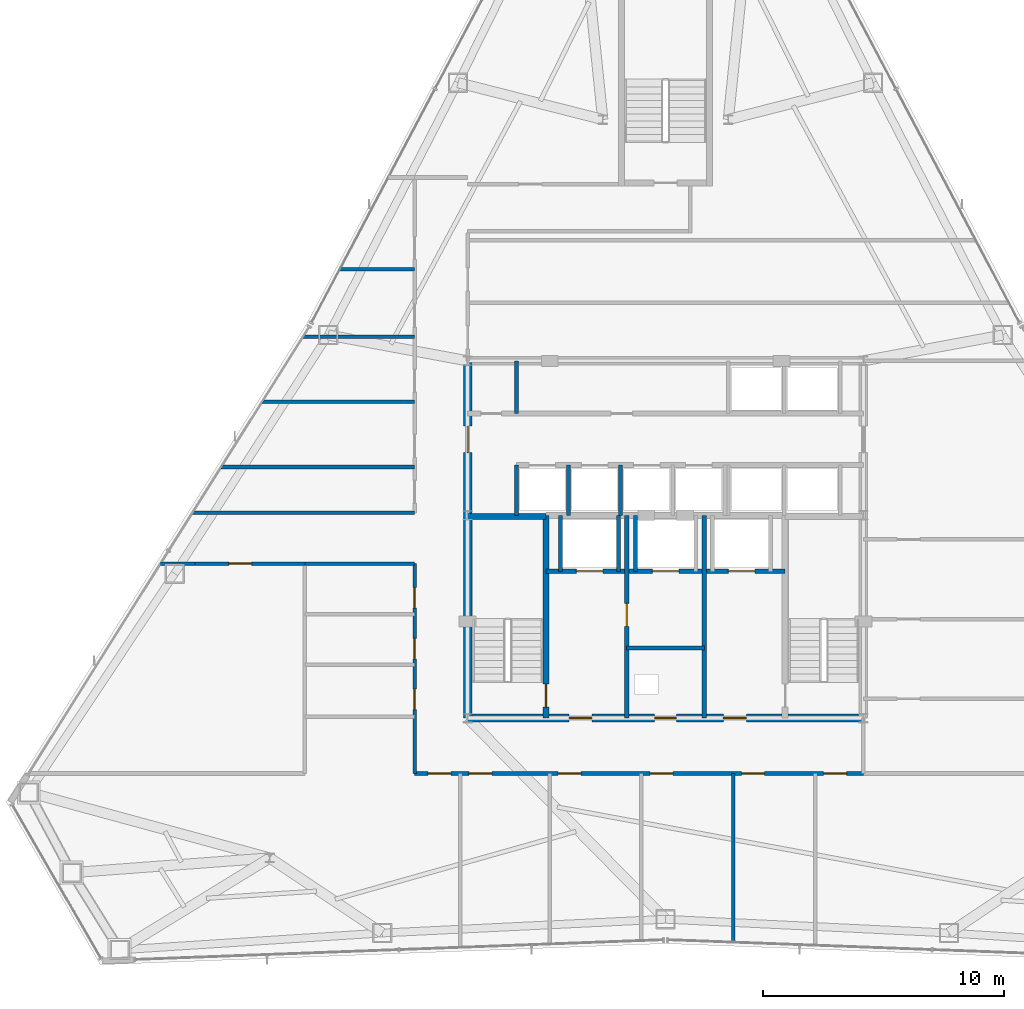
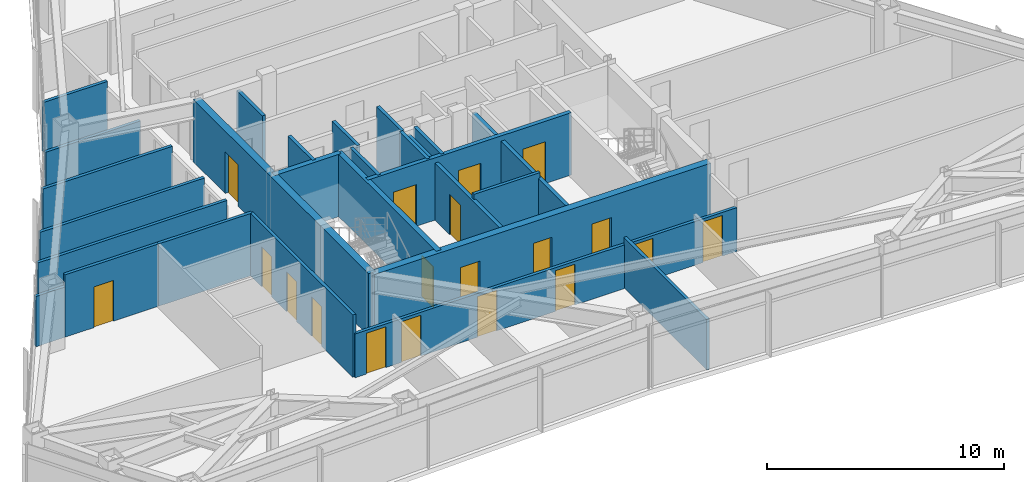
# One storey, part 10 of 13: 26 walls, 19 doors, 19 openings.
"""IFC4 building model written with IfcOpenShell, lengths in metres."""

from ifc_helpers import new_model, si_unit, direction, frame, frame_2d, origin, place, context, subcontext, project, spatial, rectangle, extrude, material, layer, layer_set, type_object, element, fill, save


model = new_model("IFC4")

# Units and contexts
model_context = context("Model", 3, precision=1e-05, world=origin(), true_north=direction((0.0, 1.0)))
body_context = subcontext(model_context, "Body", "Model", "MODEL_VIEW")
ifc_project = project(units=[si_unit("LENGTHUNIT", "METRE"), si_unit("AREAUNIT", "SQUARE_METRE"), si_unit("VOLUMEUNIT", "CUBIC_METRE"), si_unit("PLANEANGLEUNIT", "RADIAN"), si_unit("MASSUNIT", "GRAM", prefix="KILO")], contexts=[model_context])

# Site, building, storey
site_placement = place(None, origin())
site = spatial("IfcSite", under=ifc_project, at=site_placement, CompositionType="ELEMENT")
building_placement = place(site_placement, origin())
building = spatial("IfcBuilding", under=site, at=building_placement, Name="Varakhsha Concourse Tower", CompositionType="ELEMENT")
storey_placement = place(building_placement, frame((0.0, 0.0, 175.800048828125)))
storey = spatial("IfcBuildingStorey", under=building, at=storey_placement, Name="L50", CompositionType="ELEMENT", Elevation=175.800048828125)

# Wall, openings, doors
ifc_material_1 = material(Name="Concrete fc 65 MPa", Category="concrete")
ifc_layer_1 = layer(ifc_material_1, 0.35009765625, Name="WL-CORE-350")
ifc_layer_set_1 = layer_set([ifc_layer_1], Name="Concrete fc 65 MPa")
wall_type_1 = type_object("IfcWallType", Name="WL-CORE-350", PredefinedType="SHEAR", material=ifc_layer_set_1)
wall_1_placement = place(storey_placement, frame((31.800048828125, 16.39990234375, 0.0), z_axis=(0.0, 0.0, 1.0), x_axis=(1.0, 0.0, 0.0)))
wall_1 = element("IfcWall", 1, at=wall_1_placement, inside=storey, type_object=wall_type_1, Name="L50 Wall CWALL-S-L50", PredefinedType="SHEAR", context=body_context, shape_type="SweptSolid", body=[
    extrude(rectangle(XDim=16.39990234375, YDim=0.35009765625, at=frame_2d((8.199951171875, 0.0))), origin(), (0.0, 0.0, 1.0), 3.2099609375),
])
opening_1_placement = place(wall_1_placement, frame((7.75, 0.0, 0.0)))
opening_1 = element("IfcOpeningElement", 2, at=opening_1_placement, cuts=wall_1, Name="Opening DF-06", PredefinedType="OPENING", context=body_context, shape_type="SweptSolid", body=[
    extrude(rectangle(XDim=0.89990234375, YDim=2.10009765625, at=frame_2d((0.449951171875, 1.050048828125))), frame((0.0, 0.18505859375, 0.0), z_axis=(0.0, -1.0, 0.0), x_axis=(1.0, 0.0, 0.0)), (0.0, 0.0, 1.0), 0.3701171875),
])
opening_2_placement = place(wall_1_placement, frame((4.199951171875, 0.0, 0.0)))
opening_2 = element("IfcOpeningElement", 3, at=opening_2_placement, cuts=wall_1, Name="Opening DF-05", PredefinedType="OPENING", context=body_context, shape_type="SweptSolid", body=[
    extrude(rectangle(XDim=0.949951171875, YDim=2.10009765625, at=frame_2d((0.47509765625, 1.050048828125))), frame((0.0, 0.18505859375, 0.0), z_axis=(0.0, -1.0, 0.0), x_axis=(1.0, 0.0, 0.0)), (0.0, 0.0, 1.0), 0.3701171875),
])
opening_3_placement = place(wall_1_placement, frame((10.60009765625, 0.0, 0.0)))
opening_3 = element("IfcOpeningElement", 4, at=opening_3_placement, cuts=wall_1, Name="Opening DF-05", PredefinedType="OPENING", context=body_context, shape_type="SweptSolid", body=[
    extrude(rectangle(XDim=0.949951171875, YDim=2.10009765625, at=frame_2d((0.47509765625, 1.050048828125))), frame((0.0, 0.18505859375, 0.0), z_axis=(0.0, -1.0, 0.0), x_axis=(1.0, 0.0, 0.0)), (0.0, 0.0, 1.0), 0.3701171875),
])
ifc_material_2 = material(Name="Hollow Galvanised Steel Fire Door Assembly", Category="steel")
door_type_1 = type_object("IfcDoorType", Name="DR-FD60-900", OperationType="NOTDEFINED", PredefinedType="DOOR", material=ifc_material_2)
door_1_placement = place(opening_1_placement, origin())
door_1 = element("IfcDoor", 5, at=door_1_placement, inside=storey, type_object=door_type_1, Name="L50 Electrical Riser Access Door", OperationType="SINGLE_SWING_LEFT", OverallHeight=2.10009765625, OverallWidth=0.89990234375, PredefinedType="DOOR", context=body_context, shape_type="SweptSolid", body=[
    extrude(rectangle(XDim=0.89990234375, YDim=2.10009765625, at=frame_2d((0.449951171875, 1.050048828125))), frame((0.0, 0.02490234375, 0.0), z_axis=(0.0, -1.0, 0.0), x_axis=(1.0, 0.0, 0.0)), (0.0, 0.0, 1.0), 0.050048828125),
])
fill(opening_1, door_1)
door_type_2 = type_object("IfcDoorType", Name="DR-FD60-950", OperationType="NOTDEFINED", PredefinedType="DOOR", material=ifc_material_2)
door_2_placement = place(opening_2_placement, origin())
door_2 = element("IfcDoor", 6, at=door_2_placement, inside=storey, type_object=door_type_2, Name="L50 Firefighting Lobby West Door", OperationType="SINGLE_SWING_RIGHT", OverallHeight=2.10009765625, OverallWidth=0.949951171875, PredefinedType="DOOR", context=body_context, shape_type="SweptSolid", body=[
    extrude(rectangle(XDim=0.949951171875, YDim=2.10009765625, at=frame_2d((0.47509765625, 1.050048828125))), frame((0.0, 0.02490234375, 0.0), z_axis=(0.0, -1.0, 0.0), x_axis=(1.0, 0.0, 0.0)), (0.0, 0.0, 1.0), 0.050048828125),
])
fill(opening_2, door_2)
door_3_placement = place(opening_3_placement, origin())
door_3 = element("IfcDoor", 7, at=door_3_placement, inside=storey, type_object=door_type_2, Name="L50 Firefighting Lobby East Door", OperationType="SINGLE_SWING_LEFT", OverallHeight=2.10009765625, OverallWidth=0.949951171875, PredefinedType="DOOR", context=body_context, shape_type="SweptSolid", body=[
    extrude(rectangle(XDim=0.949951171875, YDim=2.10009765625, at=frame_2d((0.47509765625, 1.050048828125))), frame((0.0, 0.02490234375, 0.0), z_axis=(0.0, -1.0, 0.0), x_axis=(1.0, 0.0, 0.0)), (0.0, 0.0, 1.0), 0.050048828125),
])
fill(opening_3, door_3)

# Wall, opening, door
wall_2_placement = place(storey_placement, frame((31.800048828125, 16.39990234375, 0.0), z_axis=(0.0, 0.0, 1.0), x_axis=(0.0, 1.0, 0.0)))
wall_2 = element("IfcWall", 8, at=wall_2_placement, inside=storey, type_object=wall_type_1, Name="L50 Wall CWALL-W-L50", PredefinedType="SHEAR", context=body_context, shape_type="SweptSolid", body=[
    extrude(rectangle(XDim=14.800048828125, YDim=0.35009765625, at=frame_2d((7.39990234375, 0.0))), origin(), (0.0, 0.0, 1.0), 3.2099609375),
])
opening_4_placement = place(wall_2_placement, frame((11.0, 0.0, 0.0)))
opening_4 = element("IfcOpeningElement", 9, at=opening_4_placement, cuts=wall_2, Name="Opening DL-01", PredefinedType="OPENING", context=body_context, shape_type="SweptSolid", body=[
    extrude(rectangle(XDim=1.10009765625, YDim=2.14990234375, at=frame_2d((0.550048828125, 1.074951171875))), frame((0.0, 0.18505859375, 0.0), z_axis=(0.0, -1.0, 0.0), x_axis=(1.0, 0.0, 0.0)), (0.0, 0.0, 1.0), 0.3701171875),
])
ifc_material_3 = material(Name="Anodised Bronze Architectural Aluminium AA 6063-T6", Category="aluminium")
door_type_3 = type_object("IfcDoorType", Name="DR-LOB-1100", OperationType="NOTDEFINED", PredefinedType="DOOR", material=ifc_material_3)
door_4_placement = place(opening_4_placement, origin())
door_4 = element("IfcDoor", 10, at=door_4_placement, inside=storey, type_object=door_type_3, Name="L50 Lift Lobby West Concourse Door", OperationType="SINGLE_SWING_LEFT", OverallHeight=2.14990234375, OverallWidth=1.10009765625, PredefinedType="DOOR", context=body_context, shape_type="SweptSolid", body=[
    extrude(rectangle(XDim=1.10009765625, YDim=2.14990234375, at=frame_2d((0.550048828125, 1.074951171875))), frame((0.0, 0.02490234375, 0.0), z_axis=(0.0, -1.0, 0.0), x_axis=(1.0, 0.0, 0.0)), (0.0, 0.0, 1.0), 0.050048828125),
])
fill(opening_4, door_4)

ifc_material_4 = material(Name="Fire-Rated Type X Gypsum Partition Assembly", Category="gypsum")
ifc_layer_2 = layer(ifc_material_4, 0.179931640625, Name="WL-FFLOB-180")
ifc_layer_set_2 = layer_set([ifc_layer_2], Name="Fire-Rated Type X Gypsum Partition Assembly")
wall_type_2 = type_object("IfcWallType", Name="WL-FFLOB-180", PredefinedType="PARTITIONING", material=ifc_layer_set_2)
wall_3_placement = place(storey_placement, frame((38.389892578125, 16.39990234375, 0.0), z_axis=(0.0, 0.0, 1.0), x_axis=(0.0, 1.0, 0.0)))
wall_3 = element("IfcWall", 11, at=wall_3_placement, inside=storey, type_object=wall_type_2, Name="L50 Wall FFW-1E-L50", PredefinedType="PARTITIONING", context=body_context, shape_type="SweptSolid", body=[
    extrude(rectangle(XDim=8.400146484375, YDim=0.179931640625, at=frame_2d((4.2001953125, 0.0))), origin(), (0.0, 0.0, 1.0), 2.93798828125),
])
opening_5_placement = place(wall_3_placement, frame((3.800048828125, 0.0, 0.0)))
opening_5 = element("IfcOpeningElement", 12, at=opening_5_placement, cuts=wall_3, Name="Opening DF-05", PredefinedType="OPENING", context=body_context, shape_type="SweptSolid", body=[
    extrude(rectangle(XDim=0.949951171875, YDim=2.10009765625, at=frame_2d((0.47509765625, 1.050048828125))), frame((0.0, 0.099853515625, 0.0), z_axis=(0.0, -1.0, 0.0), x_axis=(1.0, 0.0, 0.0)), (0.0, 0.0, 1.0), 0.199951171875),
])
door_5_placement = place(opening_5_placement, origin())
door_5 = element("IfcDoor", 13, at=door_5_placement, inside=storey, type_object=door_type_2, Name="L50 Service Vestibule Door", OperationType="SINGLE_SWING_RIGHT", OverallHeight=2.10009765625, OverallWidth=0.949951171875, PredefinedType="DOOR", context=body_context, shape_type="SweptSolid", body=[
    extrude(rectangle(XDim=0.949951171875, YDim=2.10009765625, at=frame_2d((0.47509765625, 1.050048828125))), frame((0.0, 0.02490234375, 0.0), z_axis=(0.0, -1.0, 0.0), x_axis=(1.0, 0.0, 0.0)), (0.0, 0.0, 1.0), 0.050048828125),
])
fill(opening_5, door_5)

# Walls
wall_4_placement = place(storey_placement, frame((41.610107421875, 16.39990234375, 0.0), z_axis=(0.0, 0.0, 1.0), x_axis=(0.0, 1.0, 0.0)))
element("IfcWall", 14, at=wall_4_placement, inside=storey, type_object=wall_type_2, Name="L50 Wall FFW-2W-L50", PredefinedType="PARTITIONING", context=body_context, shape_type="SweptSolid", body=[
    extrude(rectangle(XDim=8.400146484375, YDim=0.179931640625, at=frame_2d((4.2001953125, 0.0))), origin(), (0.0, 0.0, 1.0), 2.93798828125),
])
ifc_layer_3 = layer(ifc_material_4, 0.14990234375, Name="WL-PART-150")
ifc_layer_set_3 = layer_set([ifc_layer_3], Name="Fire-Rated Type X Gypsum Partition Assembly")
wall_type_3 = type_object("IfcWallType", Name="WL-PART-150", PredefinedType="PARTITIONING", material=ifc_layer_set_3)
wall_5_placement = place(storey_placement, frame((38.389892578125, 19.300048828125, 0.0), z_axis=(0.0, 0.0, 1.0), x_axis=(1.0, 0.0, 0.0)))
element("IfcWall", 15, at=wall_5_placement, inside=storey, type_object=wall_type_3, Name="L50 Wall RSW-H-L50", PredefinedType="PARTITIONING", context=body_context, shape_type="SweptSolid", body=[
    extrude(rectangle(XDim=3.22021484375, YDim=0.14990234375, at=frame_2d((1.610107421875, 0.0))), origin(), (0.0, 0.0, 1.0), 3.2099609375),
])

# Wall, openings, doors
wall_6_placement = place(storey_placement, frame((29.60009765625, 14.10009765625, 0.0), z_axis=(0.0, 0.0, 1.0), x_axis=(1.0, 0.0, 0.0)))
wall_6 = element("IfcWall", 16, at=wall_6_placement, inside=storey, type_object=wall_type_3, Name="L50 Wall CRW-S-L50", PredefinedType="PARTITIONING", context=body_context, shape_type="SweptSolid", body=[
    extrude(rectangle(XDim=18.599853515625, YDim=0.14990234375, at=frame_2d((9.2998046875, 0.0))), origin(), (0.0, 0.0, 1.0), 2.251953125),
])
opening_6_placement = place(wall_6_placement, frame((0.550048828125, 0.0, 0.0)))
opening_6 = element("IfcOpeningElement", 17, at=opening_6_placement, cuts=wall_6, Name="Opening DF-05", PredefinedType="OPENING", context=body_context, shape_type="SweptSolid", body=[
    extrude(rectangle(XDim=0.949951171875, YDim=2.10009765625, at=frame_2d((0.47509765625, 1.050048828125))), frame((0.0, 0.0849609375, 0.0), z_axis=(0.0, -1.0, 0.0), x_axis=(1.0, 0.0, 0.0)), (0.0, 0.0, 1.0), 0.169921875),
])
opening_7_placement = place(wall_6_placement, frame((2.25, 0.0, 0.0)))
opening_7 = element("IfcOpeningElement", 18, at=opening_7_placement, cuts=wall_6, Name="Opening DF-05", PredefinedType="OPENING", context=body_context, shape_type="SweptSolid", body=[
    extrude(rectangle(XDim=0.949951171875, YDim=2.10009765625, at=frame_2d((0.47509765625, 1.050048828125))), frame((0.0, 0.0849609375, 0.0), z_axis=(0.0, -1.0, 0.0), x_axis=(1.0, 0.0, 0.0)), (0.0, 0.0, 1.0), 0.169921875),
])
opening_8_placement = place(wall_6_placement, frame((5.949951171875, 0.0, 0.0)))
opening_8 = element("IfcOpeningElement", 19, at=opening_8_placement, cuts=wall_6, Name="Opening DF-05", PredefinedType="OPENING", context=body_context, shape_type="SweptSolid", body=[
    extrude(rectangle(XDim=0.949951171875, YDim=2.10009765625, at=frame_2d((0.47509765625, 1.050048828125))), frame((0.0, 0.0849609375, 0.0), z_axis=(0.0, -1.0, 0.0), x_axis=(1.0, 0.0, 0.0)), (0.0, 0.0, 1.0), 0.169921875),
])
opening_9_placement = place(wall_6_placement, frame((9.75, 0.0, 0.0)))
opening_9 = element("IfcOpeningElement", 20, at=opening_9_placement, cuts=wall_6, Name="Opening DF-05", PredefinedType="OPENING", context=body_context, shape_type="SweptSolid", body=[
    extrude(rectangle(XDim=0.949951171875, YDim=2.10009765625, at=frame_2d((0.47509765625, 1.050048828125))), frame((0.0, 0.0849609375, 0.0), z_axis=(0.0, -1.0, 0.0), x_axis=(1.0, 0.0, 0.0)), (0.0, 0.0, 1.0), 0.169921875),
])
opening_10_placement = place(wall_6_placement, frame((13.550048828125, 0.0, 0.0)))
opening_10 = element("IfcOpeningElement", 21, at=opening_10_placement, cuts=wall_6, Name="Opening DF-05", PredefinedType="OPENING", context=body_context, shape_type="SweptSolid", body=[
    extrude(rectangle(XDim=0.949951171875, YDim=2.10009765625, at=frame_2d((0.47509765625, 1.050048828125))), frame((0.0, 0.0849609375, 0.0), z_axis=(0.0, -1.0, 0.0), x_axis=(1.0, 0.0, 0.0)), (0.0, 0.0, 1.0), 0.169921875),
])
opening_11_placement = place(wall_6_placement, frame((16.949951171875, 0.0, 0.0)))
opening_11 = element("IfcOpeningElement", 22, at=opening_11_placement, cuts=wall_6, Name="Opening DF-05", PredefinedType="OPENING", context=body_context, shape_type="SweptSolid", body=[
    extrude(rectangle(XDim=0.949951171875, YDim=2.10009765625, at=frame_2d((0.47509765625, 1.050048828125))), frame((0.0, 0.0849609375, 0.0), z_axis=(0.0, -1.0, 0.0), x_axis=(1.0, 0.0, 0.0)), (0.0, 0.0, 1.0), 0.169921875),
])
door_6_placement = place(opening_6_placement, origin())
door_6 = element("IfcDoor", 23, at=door_6_placement, inside=storey, type_object=door_type_2, Name="L50 Deposition Conference Room L50-S1 Door", OperationType="SINGLE_SWING_LEFT", OverallHeight=2.10009765625, OverallWidth=0.949951171875, PredefinedType="DOOR", context=body_context, shape_type="SweptSolid", body=[
    extrude(rectangle(XDim=0.949951171875, YDim=2.10009765625, at=frame_2d((0.47509765625, 1.050048828125))), frame((0.0, 0.02490234375, 0.0), z_axis=(0.0, -1.0, 0.0), x_axis=(1.0, 0.0, 0.0)), (0.0, 0.0, 1.0), 0.050048828125),
])
fill(opening_6, door_6)
door_7_placement = place(opening_7_placement, origin())
door_7 = element("IfcDoor", 24, at=door_7_placement, inside=storey, type_object=door_type_2, Name="L50 Senior Partner Chamber L50-S2 Door", OperationType="SINGLE_SWING_RIGHT", OverallHeight=2.10009765625, OverallWidth=0.949951171875, PredefinedType="DOOR", context=body_context, shape_type="SweptSolid", body=[
    extrude(rectangle(XDim=0.949951171875, YDim=2.10009765625, at=frame_2d((0.47509765625, 1.050048828125))), frame((0.0, 0.02490234375, 0.0), z_axis=(0.0, -1.0, 0.0), x_axis=(1.0, 0.0, 0.0)), (0.0, 0.0, 1.0), 0.050048828125),
])
fill(opening_7, door_7)
door_8_placement = place(opening_8_placement, origin())
door_8 = element("IfcDoor", 25, at=door_8_placement, inside=storey, type_object=door_type_2, Name="L50 Senior Partner Chamber L50-S3 Door", OperationType="SINGLE_SWING_LEFT", OverallHeight=2.10009765625, OverallWidth=0.949951171875, PredefinedType="DOOR", context=body_context, shape_type="SweptSolid", body=[
    extrude(rectangle(XDim=0.949951171875, YDim=2.10009765625, at=frame_2d((0.47509765625, 1.050048828125))), frame((0.0, 0.02490234375, 0.0), z_axis=(0.0, -1.0, 0.0), x_axis=(1.0, 0.0, 0.0)), (0.0, 0.0, 1.0), 0.050048828125),
])
fill(opening_8, door_8)
door_9_placement = place(opening_9_placement, origin())
door_9 = element("IfcDoor", 26, at=door_9_placement, inside=storey, type_object=door_type_2, Name="L50 Senior Partner Chamber L50-S4 Door", OperationType="SINGLE_SWING_RIGHT", OverallHeight=2.10009765625, OverallWidth=0.949951171875, PredefinedType="DOOR", context=body_context, shape_type="SweptSolid", body=[
    extrude(rectangle(XDim=0.949951171875, YDim=2.10009765625, at=frame_2d((0.47509765625, 1.050048828125))), frame((0.0, 0.02490234375, 0.0), z_axis=(0.0, -1.0, 0.0), x_axis=(1.0, 0.0, 0.0)), (0.0, 0.0, 1.0), 0.050048828125),
])
fill(opening_9, door_9)
door_10_placement = place(opening_10_placement, origin())
door_10 = element("IfcDoor", 27, at=door_10_placement, inside=storey, type_object=door_type_2, Name="L50 Senior Partner Chamber L50-S5 Door", OperationType="SINGLE_SWING_LEFT", OverallHeight=2.10009765625, OverallWidth=0.949951171875, PredefinedType="DOOR", context=body_context, shape_type="SweptSolid", body=[
    extrude(rectangle(XDim=0.949951171875, YDim=2.10009765625, at=frame_2d((0.47509765625, 1.050048828125))), frame((0.0, 0.02490234375, 0.0), z_axis=(0.0, -1.0, 0.0), x_axis=(1.0, 0.0, 0.0)), (0.0, 0.0, 1.0), 0.050048828125),
])
fill(opening_10, door_10)
door_11_placement = place(opening_11_placement, origin())
door_11 = element("IfcDoor", 28, at=door_11_placement, inside=storey, type_object=door_type_2, Name="L50 Senior Partner Chamber L50-S6 Door", OperationType="SINGLE_SWING_RIGHT", OverallHeight=2.10009765625, OverallWidth=0.949951171875, PredefinedType="DOOR", context=body_context, shape_type="SweptSolid", body=[
    extrude(rectangle(XDim=0.949951171875, YDim=2.10009765625, at=frame_2d((0.47509765625, 1.050048828125))), frame((0.0, 0.02490234375, 0.0), z_axis=(0.0, -1.0, 0.0), x_axis=(1.0, 0.0, 0.0)), (0.0, 0.0, 1.0), 0.050048828125),
])
fill(opening_11, door_11)

wall_7_placement = place(storey_placement, frame((29.60009765625, 14.10009765625, 0.0), z_axis=(0.0, 0.0, 1.0), x_axis=(0.0, 1.0, 0.0)))
wall_7 = element("IfcWall", 29, at=wall_7_placement, inside=storey, type_object=wall_type_3, Name="L50 Wall CRW-WS-L50", PredefinedType="PARTITIONING", context=body_context, shape_type="SweptSolid", body=[
    extrude(rectangle(XDim=8.699951171875, YDim=0.14990234375, at=frame_2d((4.35009765625, 0.0))), origin(), (0.0, 0.0, 1.0), 3.2099609375),
])
opening_12_placement = place(wall_7_placement, frame((2.64990234375, 0.0, 0.0)))
opening_12 = element("IfcOpeningElement", 30, at=opening_12_placement, cuts=wall_7, Name="Opening DF-07", PredefinedType="OPENING", context=body_context, shape_type="SweptSolid", body=[
    extrude(rectangle(XDim=0.85009765625, YDim=2.050048828125, at=frame_2d((0.425048828125, 1.02490234375))), frame((0.0, 0.0849609375, 0.0), z_axis=(0.0, -1.0, 0.0), x_axis=(1.0, 0.0, 0.0)), (0.0, 0.0, 1.0), 0.169921875),
])
opening_13_placement = place(wall_7_placement, frame((4.75, 0.0, 0.0)))
opening_13 = element("IfcOpeningElement", 31, at=opening_13_placement, cuts=wall_7, Name="Opening DF-07", PredefinedType="OPENING", context=body_context, shape_type="SweptSolid", body=[
    extrude(rectangle(XDim=0.85009765625, YDim=2.050048828125, at=frame_2d((0.425048828125, 1.02490234375))), frame((0.0, 0.0849609375, 0.0), z_axis=(0.0, -1.0, 0.0), x_axis=(1.0, 0.0, 0.0)), (0.0, 0.0, 1.0), 0.169921875),
])
opening_14_placement = place(wall_7_placement, frame((6.85009765625, 0.0, 0.0)))
opening_14 = element("IfcOpeningElement", 32, at=opening_14_placement, cuts=wall_7, Name="Opening DF-07", PredefinedType="OPENING", context=body_context, shape_type="SweptSolid", body=[
    extrude(rectangle(XDim=0.85009765625, YDim=2.050048828125, at=frame_2d((0.425048828125, 1.02490234375))), frame((0.0, 0.0849609375, 0.0), z_axis=(0.0, -1.0, 0.0), x_axis=(1.0, 0.0, 0.0)), (0.0, 0.0, 1.0), 0.169921875),
])
door_type_4 = type_object("IfcDoorType", Name="DR-FD60-850", OperationType="NOTDEFINED", PredefinedType="DOOR", material=ifc_material_2)
door_12_placement = place(opening_12_placement, origin())
door_12 = element("IfcDoor", 33, at=door_12_placement, inside=storey, type_object=door_type_4, Name="L50 Men Restroom WC Door", OperationType="SINGLE_SWING_LEFT", OverallHeight=2.050048828125, OverallWidth=0.85009765625, PredefinedType="DOOR", context=body_context, shape_type="SweptSolid", body=[
    extrude(rectangle(XDim=0.85009765625, YDim=2.050048828125, at=frame_2d((0.425048828125, 1.02490234375))), frame((0.0, 0.02490234375, 0.0), z_axis=(0.0, -1.0, 0.0), x_axis=(1.0, 0.0, 0.0)), (0.0, 0.0, 1.0), 0.050048828125),
])
fill(opening_12, door_12)
door_13_placement = place(opening_13_placement, origin())
door_13 = element("IfcDoor", 34, at=door_13_placement, inside=storey, type_object=door_type_4, Name="L50 Women Restroom WC Door", OperationType="SINGLE_SWING_LEFT", OverallHeight=2.050048828125, OverallWidth=0.85009765625, PredefinedType="DOOR", context=body_context, shape_type="SweptSolid", body=[
    extrude(rectangle(XDim=0.85009765625, YDim=2.050048828125, at=frame_2d((0.425048828125, 1.02490234375))), frame((0.0, 0.02490234375, 0.0), z_axis=(0.0, -1.0, 0.0), x_axis=(1.0, 0.0, 0.0)), (0.0, 0.0, 1.0), 0.050048828125),
])
fill(opening_13, door_13)
door_14_placement = place(opening_14_placement, origin())
door_14 = element("IfcDoor", 35, at=door_14_placement, inside=storey, type_object=door_type_4, Name="L50 Accessible WC Door", OperationType="SINGLE_SWING_LEFT", OverallHeight=2.050048828125, OverallWidth=0.85009765625, PredefinedType="DOOR", context=body_context, shape_type="SweptSolid", body=[
    extrude(rectangle(XDim=0.85009765625, YDim=2.050048828125, at=frame_2d((0.425048828125, 1.02490234375))), frame((0.0, 0.02490234375, 0.0), z_axis=(0.0, -1.0, 0.0), x_axis=(1.0, 0.0, 0.0)), (0.0, 0.0, 1.0), 0.050048828125),
])
fill(opening_14, door_14)

# Walls
wall_8_placement = place(storey_placement, frame((19.074462890625, 22.800048828125, 0.0), z_axis=(0.0, 0.0, 1.0), x_axis=(1.0, 0.0, 0.0)))
element("IfcWall", 36, at=wall_8_placement, inside=storey, type_object=wall_type_3, Name="L50 Wall CRW-WWS-W-L50", PredefinedType="PARTITIONING", context=body_context, shape_type="SweptSolid", body=[
    extrude(rectangle(XDim=1.425537109375, YDim=0.14990234375, at=frame_2d((0.712890625, 0.0))), origin(), (0.0, 0.0, 1.0), 2.5888671875),
])
wall_9_placement = place(storey_placement, frame((25.050048828125, 22.800048828125, 0.0), z_axis=(0.0, 0.0, 1.0), x_axis=(1.0, 0.0, 0.0)))
element("IfcWall", 37, at=wall_9_placement, inside=storey, type_object=wall_type_3, Name="L50 Wall CRW-WWS-E-L50", PredefinedType="PARTITIONING", context=body_context, shape_type="SweptSolid", body=[
    extrude(rectangle(XDim=4.550048828125, YDim=0.14990234375, at=frame_2d((2.27490234375, 0.0))), origin(), (0.0, 0.0, 1.0), 3.2099609375),
])
wall_10_placement = place(storey_placement, frame((20.393798828125, 24.89990234375, 0.0), z_axis=(0.0, 0.0, 1.0), x_axis=(1.0, 0.0, 0.0)))
element("IfcWall", 38, at=wall_10_placement, inside=storey, type_object=wall_type_3, Name="L50 Wall CRW-WWN-L50", PredefinedType="PARTITIONING", context=body_context, shape_type="SweptSolid", body=[
    extrude(rectangle(XDim=9.206298828125, YDim=0.14990234375, at=frame_2d((4.60302734375, 0.0))), origin(), (0.0, 0.0, 1.0), 2.5888671875),
])
wall_11_placement = place(storey_placement, frame((42.800048828125, 7.10986328125, 0.0), z_axis=(0.0, 0.0, 1.0), x_axis=(0.0, 1.0, 0.0)))
element("IfcWall", 39, at=wall_11_placement, inside=storey, type_object=wall_type_3, Name="L50 Wall ODIV-S4-L50", PredefinedType="PARTITIONING", context=body_context, shape_type="SweptSolid", body=[
    extrude(rectangle(XDim=6.990234375, YDim=0.14990234375, at=frame_2d((3.4951171875, 0.0))), origin(), (0.0, 0.0, 1.0), 2.5888671875),
])

# Wall, opening, door
wall_12_placement = place(storey_placement, frame((20.5, 22.800048828125, 0.0), z_axis=(0.0, 0.0, 1.0), x_axis=(1.0, 0.0, 0.0)))
wall_12 = element("IfcWall", 40, at=wall_12_placement, inside=storey, type_object=wall_type_3, Name="L50 Wall CRW-WWS-DOOR-L50", PredefinedType="PARTITIONING", context=body_context, shape_type="SweptSolid", body=[
    extrude(rectangle(XDim=4.550048828125, YDim=0.14990234375, at=frame_2d((2.27490234375, 0.0))), origin(), (0.0, 0.0, 1.0), 3.2099609375),
])
opening_15_placement = place(wall_12_placement, frame((1.39990234375, 0.0, 0.0)))
opening_15 = element("IfcOpeningElement", 41, at=opening_15_placement, cuts=wall_12, Name="Opening DF-05", PredefinedType="OPENING", context=body_context, shape_type="SweptSolid", body=[
    extrude(rectangle(XDim=0.949951171875, YDim=2.10009765625, at=frame_2d((0.47509765625, 1.050048828125))), frame((0.0, 0.0849609375, 0.0), z_axis=(0.0, -1.0, 0.0), x_axis=(1.0, 0.0, 0.0)), (0.0, 0.0, 1.0), 0.169921875),
])
door_15_placement = place(opening_15_placement, origin())
door_15 = element("IfcDoor", 42, at=door_15_placement, inside=storey, type_object=door_type_2, Name="L50 Legal Research Library L50-SW Door", OperationType="SINGLE_SWING_LEFT", OverallHeight=2.10009765625, OverallWidth=0.949951171875, PredefinedType="DOOR", context=body_context, shape_type="SweptSolid", body=[
    extrude(rectangle(XDim=0.949951171875, YDim=2.10009765625, at=frame_2d((0.47509765625, 1.050048828125))), frame((0.0, 0.02490234375, 0.0), z_axis=(0.0, -1.0, 0.0), x_axis=(1.0, 0.0, 0.0)), (0.0, 0.0, 1.0), 0.050048828125),
])
fill(opening_15, door_15)

# Walls
wall_13_placement = place(storey_placement, frame((21.587646484375, 26.800048828125, 0.0), z_axis=(0.0, 0.0, 1.0), x_axis=(1.0, 0.0, 0.0)))
element("IfcWall", 43, at=wall_13_placement, inside=storey, type_object=wall_type_3, Name="L50 Wall ODIV-W1-L50", PredefinedType="PARTITIONING", context=body_context, shape_type="SweptSolid", body=[
    extrude(rectangle(XDim=8.012451171875, YDim=0.14990234375, at=frame_2d((4.00634765625, 0.0))), origin(), (0.0, 0.0, 1.0), 2.5888671875),
])
wall_14_placement = place(storey_placement, frame((23.2841796875, 29.5, 0.0), z_axis=(0.0, 0.0, 1.0), x_axis=(1.0, 0.0, 0.0)))
element("IfcWall", 44, at=wall_14_placement, inside=storey, type_object=wall_type_3, Name="L50 Wall ODIV-W2-L50", PredefinedType="PARTITIONING", context=body_context, shape_type="SweptSolid", body=[
    extrude(rectangle(XDim=6.31591796875, YDim=0.14990234375, at=frame_2d((3.157958984375, 0.0))), origin(), (0.0, 0.0, 1.0), 2.5888671875),
])
wall_15_placement = place(storey_placement, frame((24.980712890625, 32.199951171875, 0.0), z_axis=(0.0, 0.0, 1.0), x_axis=(1.0, 0.0, 0.0)))
element("IfcWall", 45, at=wall_15_placement, inside=storey, type_object=wall_type_3, Name="L50 Wall ODIV-W3-L50", PredefinedType="PARTITIONING", context=body_context, shape_type="SweptSolid", body=[
    extrude(rectangle(XDim=4.619384765625, YDim=0.14990234375, at=frame_2d((2.3095703125, 0.0))), origin(), (0.0, 0.0, 1.0), 2.251953125),
])
wall_16_placement = place(storey_placement, frame((26.509765625, 35.0, 0.0), z_axis=(0.0, 0.0, 1.0), x_axis=(1.0, 0.0, 0.0)))
element("IfcWall", 46, at=wall_16_placement, inside=storey, type_object=wall_type_3, Name="L50 Wall ODIV-W4-L50", PredefinedType="PARTITIONING", context=body_context, shape_type="SweptSolid", body=[
    extrude(rectangle(XDim=3.09033203125, YDim=0.14990234375, at=frame_2d((1.545166015625, 0.0))), origin(), (0.0, 0.0, 1.0), 2.5888671875),
])

# Wall, openings, doors
ifc_layer_4 = layer(ifc_material_4, 0.199951171875, Name="WL-SHAFT-220")
ifc_layer_set_4 = layer_set([ifc_layer_4], Name="Fire-Rated Type X Gypsum Partition Assembly")
wall_type_4 = type_object("IfcWallType", Name="WL-SHAFT-220", PredefinedType="SOLIDWALL", material=ifc_layer_set_4)
wall_17_placement = place(storey_placement, frame((35.044921875, 22.47998046875, 0.0), z_axis=(0.0, 0.0, 1.0), x_axis=(1.0, 0.0, 0.0)))
wall_17 = element("IfcWall", 47, at=wall_17_placement, inside=storey, type_object=wall_type_4, Name="L50 Wall FFW-NH-L50", PredefinedType="SOLIDWALL", context=body_context, shape_type="SweptSolid", body=[
    extrude(rectangle(XDim=9.91015625, YDim=0.199951171875, at=frame_2d((4.955078125, 0.0))), origin(), (0.0, 0.0, 1.0), 3.2099609375),
])
opening_16_placement = place(wall_17_placement, frame((1.2548828125, 0.0, 0.0)))
opening_16 = element("IfcOpeningElement", 48, at=opening_16_placement, cuts=wall_17, Name="Opening LD-FFL-1", PredefinedType="OPENING", context=body_context, shape_type="SweptSolid", body=[
    extrude(rectangle(XDim=1.10009765625, YDim=2.14990234375, at=frame_2d((0.550048828125, 1.074951171875))), frame((0.0, 0.10986328125, 0.0), z_axis=(0.0, -1.0, 0.0), x_axis=(1.0, 0.0, 0.0)), (0.0, 0.0, 1.0), 0.219970703125),
])
opening_17_placement = place(wall_17_placement, frame((7.554931640625, 0.0, 0.0)))
opening_17 = element("IfcOpeningElement", 49, at=opening_17_placement, cuts=wall_17, Name="Opening LD-FFL-2", PredefinedType="OPENING", context=body_context, shape_type="SweptSolid", body=[
    extrude(rectangle(XDim=1.10009765625, YDim=2.14990234375, at=frame_2d((0.550048828125, 1.074951171875))), frame((0.0, 0.10986328125, 0.0), z_axis=(0.0, -1.0, 0.0), x_axis=(1.0, 0.0, 0.0)), (0.0, 0.0, 1.0), 0.219970703125),
])
opening_18_placement = place(wall_17_placement, frame((4.405029296875, 0.0, 0.0)))
opening_18 = element("IfcOpeningElement", 50, at=opening_18_placement, cuts=wall_17, Name="Opening LD-SVL-1", PredefinedType="OPENING", context=body_context, shape_type="SweptSolid", body=[
    extrude(rectangle(XDim=1.10009765625, YDim=2.14990234375, at=frame_2d((0.550048828125, 1.074951171875))), frame((0.0, 0.10986328125, 0.0), z_axis=(0.0, -1.0, 0.0), x_axis=(1.0, 0.0, 0.0)), (0.0, 0.0, 1.0), 0.219970703125),
])
ifc_material_5 = material(Name="Brushed Austenitic Stainless Steel AISI 316", Category="steel")
door_type_5 = type_object("IfcDoorType", Name="DR-LD-1100", OperationType="DOUBLE_DOOR_SLIDING", PredefinedType="DOOR", material=ifc_material_5)
door_16_placement = place(opening_16_placement, origin())
door_16 = element("IfcDoor", 51, at=door_16_placement, inside=storey, type_object=door_type_5, Name="Lift Landing Door FFL-1 L50", OperationType="DOUBLE_DOOR_SLIDING", OverallHeight=2.14990234375, OverallWidth=1.10009765625, PredefinedType="DOOR", context=body_context, shape_type="SweptSolid", body=[
    extrude(rectangle(XDim=1.10009765625, YDim=2.14990234375, at=frame_2d((0.550048828125, 1.074951171875))), frame((0.0, 0.02490234375, 0.0), z_axis=(0.0, -1.0, 0.0), x_axis=(1.0, 0.0, 0.0)), (0.0, 0.0, 1.0), 0.050048828125),
])
fill(opening_16, door_16)
door_17_placement = place(opening_17_placement, origin())
door_17 = element("IfcDoor", 52, at=door_17_placement, inside=storey, type_object=door_type_5, Name="Lift Landing Door FFL-2 L50", OperationType="DOUBLE_DOOR_SLIDING", OverallHeight=2.14990234375, OverallWidth=1.10009765625, PredefinedType="DOOR", context=body_context, shape_type="SweptSolid", body=[
    extrude(rectangle(XDim=1.10009765625, YDim=2.14990234375, at=frame_2d((0.550048828125, 1.074951171875))), frame((0.0, 0.02490234375, 0.0), z_axis=(0.0, -1.0, 0.0), x_axis=(1.0, 0.0, 0.0)), (0.0, 0.0, 1.0), 0.050048828125),
])
fill(opening_17, door_17)
door_18_placement = place(opening_18_placement, origin())
door_18 = element("IfcDoor", 53, at=door_18_placement, inside=storey, type_object=door_type_5, Name="Lift Landing Door SVL-1 L50", OperationType="DOUBLE_DOOR_SLIDING", OverallHeight=2.14990234375, OverallWidth=1.10009765625, PredefinedType="DOOR", context=body_context, shape_type="SweptSolid", body=[
    extrude(rectangle(XDim=1.10009765625, YDim=2.14990234375, at=frame_2d((0.550048828125, 1.074951171875))), frame((0.0, 0.02490234375, 0.0), z_axis=(0.0, -1.0, 0.0), x_axis=(1.0, 0.0, 0.0)), (0.0, 0.0, 1.0), 0.050048828125),
])
fill(opening_18, door_18)

# Walls
for number, where, z_axis, x_axis, name in (
    (54, (35.64990234375, 22.47998046875, 0.0), (0.0, 0.0, 1.0), (0.0, 1.0, 0.0), "L50 Wall SHW-FFL-1-W-L50"),
    (55, (38.050048828125, 22.47998046875, 0.0), (0.0, 0.0, 1.0), (0.0, 1.0, 0.0), "L50 Wall SHW-FFL-1-E-L50"),
    (56, (38.75, 22.47998046875, 0.0), (0.0, 0.0, 1.0), (0.0, 1.0, 0.0), "L50 Wall SHW-SVL-1-W-L50"),
):
    element("IfcWall", number, at=place(storey_placement, frame(where, z_axis=z_axis, x_axis=x_axis)), inside=storey, type_object=wall_type_4, Name=name, PredefinedType="SOLIDWALL", context=body_context, shape_type="SweptSolid", body=[
        extrude(rectangle(XDim=2.320068359375, YDim=0.159912109375, at=frame_2d((1.16015625, 0.0))), origin(), (0.0, 0.0, 1.0), 3.2099609375),
    ])
wall_18_placement = place(storey_placement, frame((33.820068359375, 29.02001953125, 0.0), z_axis=(0.0, 0.0, 1.0), x_axis=(0.0, 1.0, 0.0)))
element("IfcWall", 57, at=wall_18_placement, inside=storey, type_object=wall_type_4, Name="L50 Wall WBOH-E1-L50", PredefinedType="SOLIDWALL", context=body_context, shape_type="SweptSolid", body=[
    extrude(rectangle(XDim=2.179931640625, YDim=0.159912109375, at=frame_2d((1.08984375, 0.0))), origin(), (0.0, 0.0, 1.0), 2.93798828125),
])
for number, where, z_axis, x_axis, name in (
    (58, (33.820068359375, 24.800048828125, 0.0), (0.0, 0.0, 1.0), (0.0, 1.0, 0.0), "L50 Wall WBOH-E2-L50"),
    (59, (35.97998046875, 24.800048828125, 0.0), (0.0, 0.0, 1.0), (0.0, 1.0, 0.0), "L50 Wall SHW-LF-P05-E-L50"),
    (60, (38.139892578125, 24.800048828125, 0.0), (0.0, 0.0, 1.0), (0.0, 1.0, 0.0), "L50 Wall SHW-LF-P06-E-L50"),
):
    element("IfcWall", number, at=place(storey_placement, frame(where, z_axis=z_axis, x_axis=x_axis)), inside=storey, type_object=wall_type_4, Name=name, PredefinedType="SOLIDWALL", context=body_context, shape_type="SweptSolid", body=[
        extrude(rectangle(XDim=2.079833984375, YDim=0.159912109375, at=frame_2d((1.0400390625, 0.0))), origin(), (0.0, 0.0, 1.0), 3.2099609375),
    ])

# Wall, opening, door
ifc_material_6 = material(Name="Concrete fc 45 MPa", Category="concrete")
ifc_layer_5 = layer(ifc_material_6, 0.25, Name="WL-STAIR-250")
ifc_layer_set_5 = layer_set([ifc_layer_5], Name="Concrete fc 45 MPa")
wall_type_5 = type_object("IfcWallType", Name="WL-STAIR-250", PredefinedType="SHEAR", material=ifc_layer_set_5)
wall_19_placement = place(storey_placement, frame((35.044921875, 16.39990234375, 0.0), z_axis=(0.0, 0.0, 1.0), x_axis=(0.0, 1.0, 0.0)))
wall_19 = element("IfcWall", 61, at=wall_19_placement, inside=storey, type_object=wall_type_5, Name="L50 Wall SWALL-ST1-E-L50", PredefinedType="SHEAR", context=body_context, shape_type="SweptSolid", body=[
    extrude(rectangle(XDim=8.400146484375, YDim=0.25, at=frame_2d((4.2001953125, 0.0))), origin(), (0.0, 0.0, 1.0), 3.2099609375),
])
opening_19_placement = place(wall_19_placement, frame((0.449951171875, 0.0, 0.0)))
opening_19 = element("IfcOpeningElement", 62, at=opening_19_placement, cuts=wall_19, Name="Opening DF-03", PredefinedType="OPENING", context=body_context, shape_type="SweptSolid", body=[
    extrude(rectangle(XDim=0.949951171875, YDim=2.10009765625, at=frame_2d((0.47509765625, 1.050048828125))), frame((0.0, 0.135009765625, 0.0), z_axis=(0.0, -1.0, 0.0), x_axis=(1.0, 0.0, 0.0)), (0.0, 0.0, 1.0), 0.27001953125),
])
door_type_6 = type_object("IfcDoorType", Name="DR-FD90-950", OperationType="NOTDEFINED", PredefinedType="DOOR", material=ifc_material_2)
door_19_placement = place(opening_19_placement, origin())
door_19 = element("IfcDoor", 63, at=door_19_placement, inside=storey, type_object=door_type_6, Name="L50 Stair ST1 Fire Door", OperationType="SINGLE_SWING_LEFT", OverallHeight=2.10009765625, OverallWidth=0.949951171875, PredefinedType="DOOR", context=body_context, shape_type="SweptSolid", body=[
    extrude(rectangle(XDim=0.949951171875, YDim=2.10009765625, at=frame_2d((0.47509765625, 1.050048828125))), frame((0.0, 0.02490234375, 0.0), z_axis=(0.0, -1.0, 0.0), x_axis=(1.0, 0.0, 0.0)), (0.0, 0.0, 1.0), 0.050048828125),
])
fill(opening_19, door_19)

# Wall
wall_20_placement = place(storey_placement, frame((31.800048828125, 24.7548828125, 0.0), z_axis=(0.0, 0.0, 1.0), x_axis=(1.0, 0.0, 0.0)))
element("IfcWall", 64, at=wall_20_placement, inside=storey, type_object=wall_type_5, Name="L50 Wall SWALL-ST1-N-L50", PredefinedType="SHEAR", context=body_context, shape_type="SweptSolid", body=[
    extrude(rectangle(XDim=3.244873046875, YDim=0.25, at=frame_2d((1.62255859375, 0.0))), origin(), (0.0, 0.0, 1.0), 3.2099609375),
])

save(model, "model.ifc")
